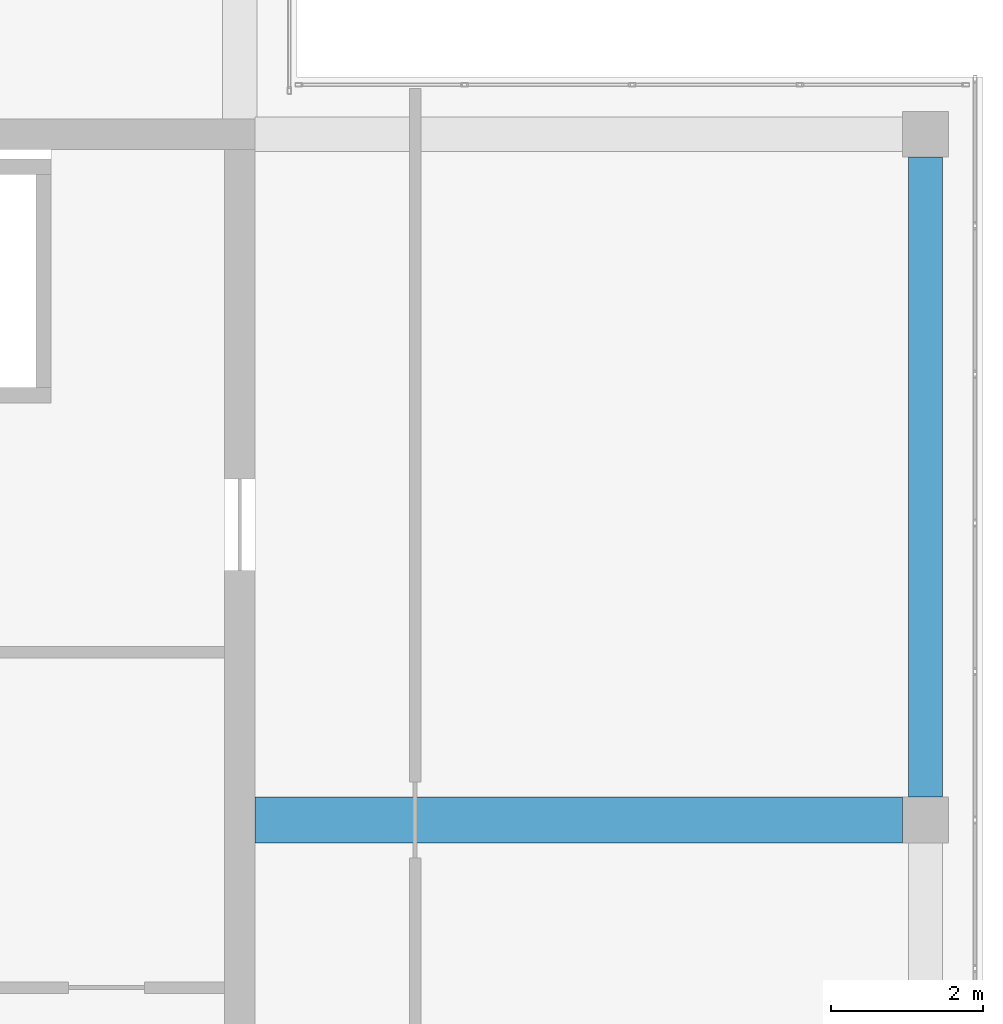
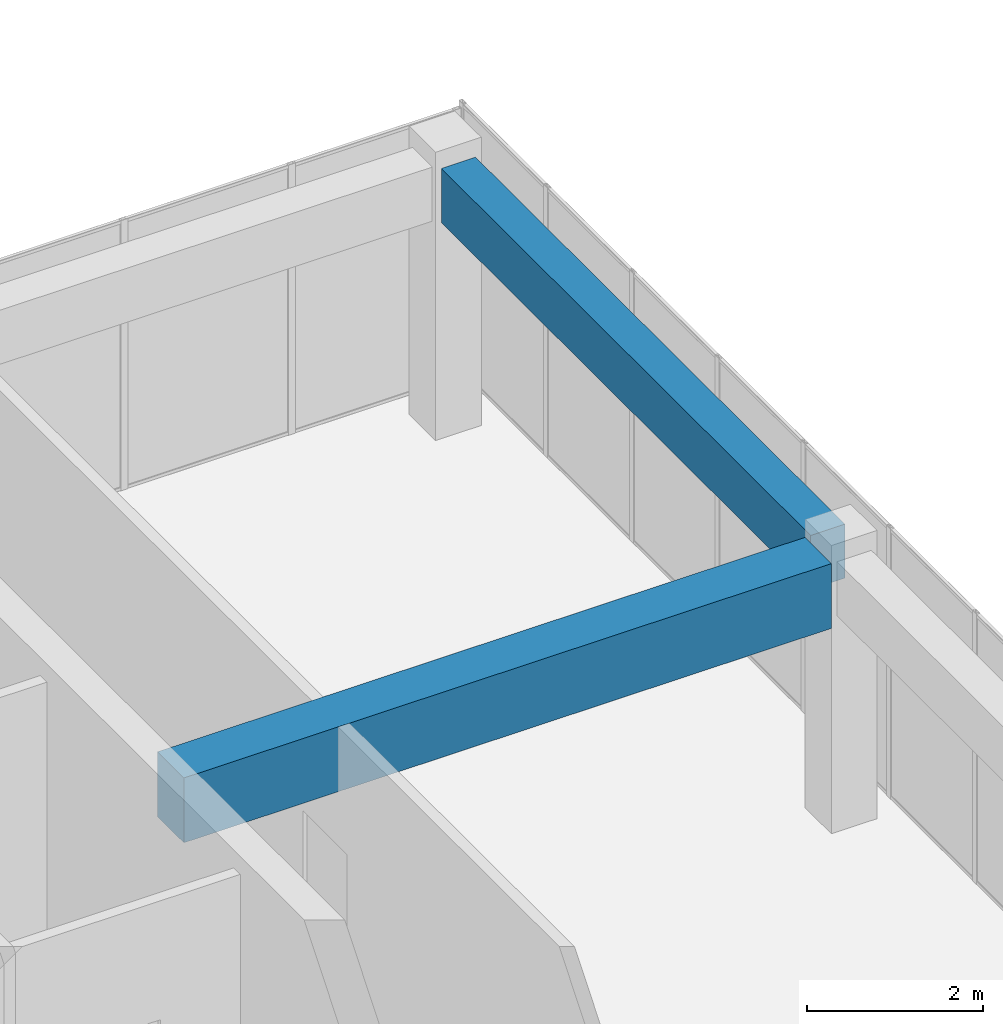
# One storey, part 18 of 35: 2 beams.
"""IFC4 building model written with IfcOpenShell, lengths in metres."""

from ifc_helpers import new_model, si_unit, direction, frame, origin, origin_2d, place, context, subcontext, project, spatial, rectangle, extrude, material, material_profile, profile_set, type_object, element, save


model = new_model("IFC4")

# Units and contexts
model_context = context("Model", 3, precision=1e-05, world=origin(), true_north=direction((0.0, 1.0)))
body_context = subcontext(model_context, "Body", "Model", "MODEL_VIEW")
ifc_project = project(units=[si_unit("LENGTHUNIT", "METRE"), si_unit("AREAUNIT", "SQUARE_METRE"), si_unit("VOLUMEUNIT", "CUBIC_METRE"), si_unit("PLANEANGLEUNIT", "RADIAN"), si_unit("MASSUNIT", "GRAM", prefix="KILO")], contexts=[model_context])

# Site, building, storey
site_placement = place(None, origin())
site = spatial("IfcSite", under=ifc_project, at=site_placement, CompositionType="ELEMENT")
building_placement = place(site_placement, origin())
building = spatial("IfcBuilding", under=site, at=building_placement, Name="Tuart Plaza Theatre", CompositionType="ELEMENT")
storey_placement = place(building_placement, frame((0.0, 0.0, 45.5)))
storey = spatial("IfcBuildingStorey", under=building, at=storey_placement, Name="L11", CompositionType="ELEMENT", Elevation=45.5)

# Beams
ifc_material_1 = material(Name="Concrete N40 (40 MPa)", Category="concrete")
ifc_material_profile_1 = material_profile(ifc_material_1, rectangle(XDim=0.449951171875, YDim=0.75, at=origin_2d()), Name="BEAM 450x750 Concrete N40 (40 MPa)")
ifc_profile_set_1 = profile_set([ifc_material_profile_1], Name="Concrete N40 (40 MPa)")
beam_type_1 = type_object("IfcBeamType", Name="BEAM 450x750 Concrete N40 (40 MPa)", PredefinedType="BEAM", material=ifc_profile_set_1)
beam_1_placement = place(storey_placement, frame((150.0, 74.300048828125, 3.375), z_axis=(0.0, 1.0, 0.0), x_axis=(-1.0, 0.0, 0.0)))
element("IfcBeam", 1, at=beam_1_placement, inside=storey, type_object=beam_type_1, Name="RB310", PredefinedType="BEAM", context=body_context, shape_type="SweptSolid", body=[
    extrude(rectangle(XDim=0.449951171875, YDim=0.75, at=origin_2d()), origin(), (0.0, 0.0, 1.0), 8.39990234375),
])
ifc_material_2 = material(Name="Concrete N40 (40 MPa)", Category="concrete")
ifc_material_profile_2 = material_profile(ifc_material_2, rectangle(XDim=0.60009765625, YDim=0.89990234375, at=origin_2d()), Name="BEAM 600x900 Concrete N40 (40 MPa)")
ifc_profile_set_2 = profile_set([ifc_material_profile_2], Name="Concrete N40 (40 MPa)")
beam_type_2 = type_object("IfcBeamType", Name="BEAM 600x900 Concrete N40 (40 MPa)", PredefinedType="BEAM", material=ifc_profile_set_2)
beam_2_placement = place(storey_placement, frame((141.199951171875, 74.0, 3.300048828125), z_axis=(1.0, 0.0, 0.0), x_axis=(0.0, 1.0, 0.0)))
element("IfcBeam", 2, at=beam_2_placement, inside=storey, type_object=beam_type_2, Name="RB307", PredefinedType="BEAM", context=body_context, shape_type="SweptSolid", body=[
    extrude(rectangle(XDim=0.60009765625, YDim=0.89990234375, at=origin_2d()), origin(), (0.0, 0.0, 1.0), 8.5),
])

save(model, "model.ifc")
